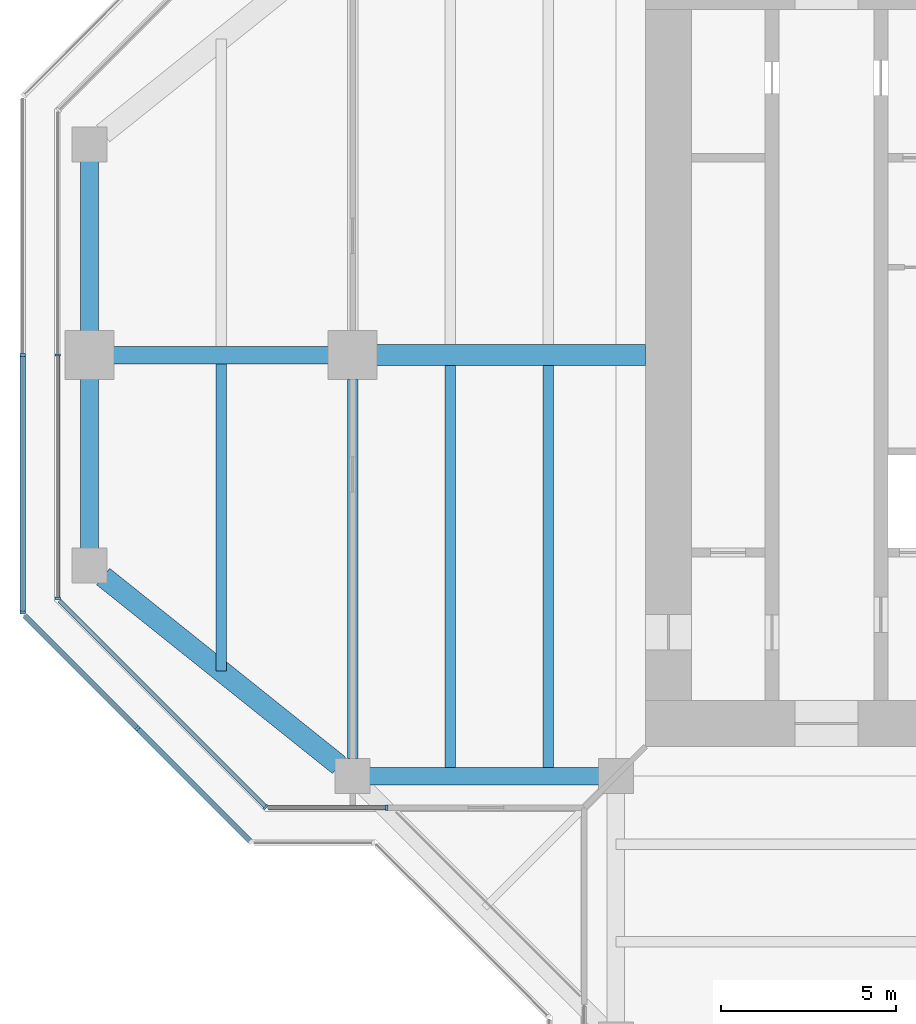
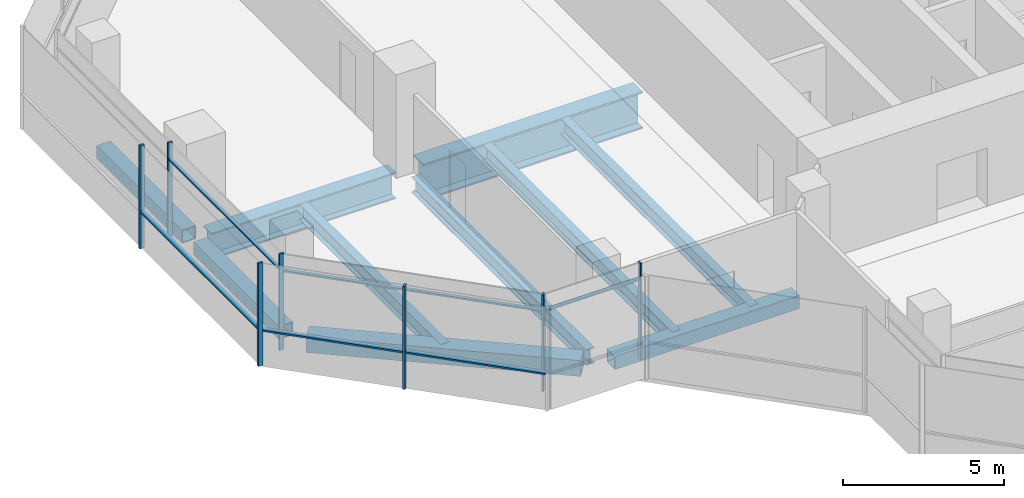
# One storey, part 3 of 15: 13 members, 10 beams, 5 elements without a shape of their own.
"""IFC4 building model written with IfcOpenShell, lengths in metres."""

from ifc_helpers import new_model, si_unit, direction, frame, origin, origin_2d, place, context, subcontext, project, spatial, rectangle, hollow_rectangle, i_section, extrude, material, material_profile, profile_set, type_object, element, aggregate, save


model = new_model("IFC4")

# Units and contexts
model_context = context("Model", 3, precision=1e-05, world=origin(), true_north=direction((0.0, 1.0)))
body_context = subcontext(model_context, "Body", "Model", "MODEL_VIEW")
ifc_project = project(units=[si_unit("LENGTHUNIT", "METRE"), si_unit("AREAUNIT", "SQUARE_METRE"), si_unit("VOLUMEUNIT", "CUBIC_METRE"), si_unit("PLANEANGLEUNIT", "RADIAN"), si_unit("MASSUNIT", "GRAM", prefix="KILO")], contexts=[model_context])

# Site, building, storey
site_placement = place(None, origin())
site = spatial("IfcSite", under=ifc_project, at=site_placement, CompositionType="ELEMENT")
building_placement = place(site_placement, origin())
building = spatial("IfcBuilding", under=site, at=building_placement, Name="Mizan Broadcast Tower", CompositionType="ELEMENT")
storey_placement = place(building_placement, frame((0.0, 0.0, 302.39990234375)))
storey = spatial("IfcBuildingStorey", under=building, at=storey_placement, Name="L72", CompositionType="ELEMENT", Elevation=302.39990234375)

# Beams
ifc_material_1 = material(Name="Steel S355", Category="steel")
ifc_material_profile_1 = material_profile(ifc_material_1, hollow_rectangle(XDim=0.5, YDim=0.5, WallThickness=0.030029296875, at=origin_2d()), Name="BOX 500x500x30")
ifc_profile_set_1 = profile_set([ifc_material_profile_1], Name="Steel S355")
beam_type_1 = type_object("IfcBeamType", Name="EDGE BEAM BOX 500x500x30", PredefinedType="SPANDREL", material=ifc_profile_set_1)
beam_1_placement = place(storey_placement, frame((-27.0, 5.639892578125, -0.3798828125), z_axis=(0.0, -1.0, 0.0), x_axis=(1.0, 0.0, 0.0)))
element("IfcBeam", 1, at=beam_1_placement, inside=storey, type_object=beam_type_1, Name="Edge beam BOX 500x500x30 L72 west arm", PredefinedType="SPANDREL", context=body_context, shape_type="SweptSolid", body=[
    extrude(hollow_rectangle(XDim=0.5, YDim=0.5, WallThickness=0.030029296875, at=origin_2d()), origin(), (0.0, 0.0, 1.0), 5.27978515625),
])
beam_2_placement = place(storey_placement, frame((-12.449951171875, -12.0, -0.3798828125), z_axis=(-1.0, 0.0, 0.0), x_axis=(0.0, -1.0, 0.0)))
element("IfcBeam", 2, at=beam_2_placement, inside=storey, type_object=beam_type_1, Name="Edge beam BOX 500x500x30 L72 west arm", PredefinedType="SPANDREL", context=body_context, shape_type="SweptSolid", body=[
    extrude(hollow_rectangle(XDim=0.5, YDim=0.5, WallThickness=0.030029296875, at=origin_2d()), origin(), (0.0, 0.0, 1.0), 6.60009765625),
])
beam_3_placement = place(storey_placement, frame((-27.0, -5.639892578125, -0.3798828125), z_axis=(0.0, 1.0, 0.0), x_axis=(-1.0, 0.0, 0.0)))
element("IfcBeam", 3, at=beam_3_placement, inside=storey, type_object=beam_type_1, Name="Edge beam BOX 500x500x30 L72 west arm", PredefinedType="SPANDREL", context=body_context, shape_type="SweptSolid", body=[
    extrude(hollow_rectangle(XDim=0.5, YDim=0.5, WallThickness=0.030029296875, at=origin_2d()), origin(), (0.0, 0.0, 1.0), 5.27978515625),
])
ifc_material_2 = material(Name="Steel S355", Category="steel")
ifc_material_profile_2 = material_profile(ifc_material_2, hollow_rectangle(XDim=0.60009765625, YDim=0.60009765625, WallThickness=0.030029296875, at=origin_2d()), Name="BOX 600x600x30")
ifc_profile_set_2 = profile_set([ifc_material_profile_2], Name="Steel S355")
beam_type_2 = type_object("IfcBeamType", Name="EDGE BEAM BOX 600x600x30", PredefinedType="SPANDREL", material=ifc_profile_set_2)
beam_4_placement = place(storey_placement, frame((-19.890380859375, -11.687744140625, -0.429931640625), z_axis=(-0.780863273348, 0.62470196761, 0.0), x_axis=(-0.62470196761, -0.780863273348, 0.0)))
element("IfcBeam", 4, at=beam_4_placement, inside=storey, type_object=beam_type_2, Name="Edge beam BOX 600x600x30 L72 west arm", PredefinedType="SPANDREL", context=body_context, shape_type="SweptSolid", body=[
    extrude(hollow_rectangle(XDim=0.60009765625, YDim=0.60009765625, WallThickness=0.030029296875, at=origin_2d()), origin(), (0.0, 0.0, 1.0), 8.60498046875),
])
ifc_material_3 = material(Name="Steel S355", Category="steel")
ifc_material_profile_3 = material_profile(ifc_material_3, i_section(OverallWidth=0.300048828125, OverallDepth=0.590087890625, WebThickness=0.012939453125, FlangeThickness=0.02490234375, FilletRadius=0.027099609375, at=origin_2d()), Name="HEA 600")
ifc_profile_set_3 = profile_set([ifc_material_profile_3], Name="Steel S355")
beam_type_3 = type_object("IfcBeamType", Name="GIRDER HEA 600", PredefinedType="BEAM", material=ifc_profile_set_3)
beam_5_placement = place(storey_placement, frame((-19.5, -11.5, -0.4248046875), z_axis=(0.0, 1.0, 0.0), x_axis=(-1.0, 0.0, 0.0)))
element("IfcBeam", 5, at=beam_5_placement, inside=storey, type_object=beam_type_3, Name="Girder HEA 600 L72 west arm", PredefinedType="BEAM", context=body_context, shape_type="SweptSolid", body=[
    extrude(i_section(OverallWidth=0.300048828125, OverallDepth=0.590087890625, WebThickness=0.012939453125, FlangeThickness=0.02490234375, FilletRadius=0.027099609375, at=origin_2d()), origin(), (0.0, 0.0, 1.0), 10.800048828125),
])
ifc_material_4 = material(Name="Steel S460", Category="steel")
ifc_material_profile_4 = material_profile(ifc_material_4, i_section(OverallWidth=0.5, OverallDepth=1.0, WebThickness=0.02490234375, FlangeThickness=0.050048828125, at=origin_2d()), Name="WPG 1000x500")
ifc_profile_set_4 = profile_set([ifc_material_profile_4], Name="Steel S460")
beam_type_4 = type_object("IfcBeamType", Name="GIRDER WPG 1000x500", PredefinedType="BEAM", material=ifc_profile_set_4)
beam_6_placement = place(storey_placement, frame((-19.949951171875, 0.0, -0.6298828125), z_axis=(-1.0, 0.0, 0.0), x_axis=(0.0, -1.0, 0.0)))
element("IfcBeam", 6, at=beam_6_placement, inside=storey, type_object=beam_type_4, Name="Girder WPG 1000x500 L72 west arm", PredefinedType="BEAM", context=body_context, shape_type="SweptSolid", body=[
    extrude(i_section(OverallWidth=0.5, OverallDepth=1.0, WebThickness=0.02490234375, FlangeThickness=0.050048828125, at=origin_2d()), origin(), (0.0, 0.0, 1.0), 6.60009765625),
])
ifc_material_5 = material(Name="Steel S460", Category="steel")
ifc_material_profile_5 = material_profile(ifc_material_5, i_section(OverallWidth=0.60009765625, OverallDepth=1.39990234375, WebThickness=0.02490234375, FlangeThickness=0.06005859375, at=origin_2d()), Name="WPG 1400x600")
ifc_profile_set_5 = profile_set([ifc_material_profile_5], Name="Steel S460")
beam_type_5 = type_object("IfcBeamType", Name="GIRDER WPG 1400x600", PredefinedType="BEAM", material=ifc_profile_set_5)
beam_7_placement = place(storey_placement, frame((-11.14990234375, 0.0, -0.829833984375), z_axis=(-1.0, 0.0, 0.0), x_axis=(0.0, -1.0, 0.0)))
element("IfcBeam", 7, at=beam_7_placement, inside=storey, type_object=beam_type_5, Name="Girder WPG 1400x600 L72 west arm", PredefinedType="BEAM", context=body_context, shape_type="SweptSolid", body=[
    extrude(i_section(OverallWidth=0.60009765625, OverallDepth=1.39990234375, WebThickness=0.02490234375, FlangeThickness=0.06005859375, at=origin_2d()), origin(), (0.0, 0.0, 1.0), 7.84912109375),
])

# Curtain wall, members
ifc_material_6 = material(Name="Aluminium framed glazing", Category="aluminium")
curtain_wall_type_1 = type_object("IfcCurtainWallType", Name="INNER SKIN TOP ZONE", PredefinedType="USERDEFINED", material=ifc_material_6)
curtain_wall_1_placement = place(storey_placement, origin())
curtain_wall_1 = element("IfcCurtainWall", 8, at=curtain_wall_1_placement, inside=storey, type_object=curtain_wall_type_1, Name="Inner skin top zone L72 W end", ObjectType="INNER SKIN TOP ZONE", PredefinedType="USERDEFINED")
ifc_material_7 = material(Name="Aluminium, pale anodised", Category="aluminium")
ifc_material_profile_6 = material_profile(ifc_material_7, rectangle(XDim=0.159912109375, YDim=0.06005859375, at=origin_2d()), Name="MULLION 160x60")
ifc_profile_set_6 = profile_set([ifc_material_profile_6], Name="Aluminium, pale anodised")
member_type_1 = type_object("IfcMemberType", Name="INNER SKIN MULLION 60x160", PredefinedType="MULLION", material=ifc_profile_set_6)
member_1_placement = place(storey_placement, frame((-27.89990234375, 0.0, 0.0), z_axis=(0.0, 0.0, 1.0), x_axis=(1.0, 0.0, 0.0)))
member_1 = element("IfcMember", 9, at=member_1_placement, type_object=member_type_1, Name="Inner skin top zone L72 W end mullion 2", PredefinedType="MULLION", context=body_context, shape_type="SweptSolid", body=[
    extrude(rectangle(XDim=0.159912109375, YDim=0.06005859375, at=origin_2d()), origin(), (0.0, 0.0, 1.0), 3.650146484375),
])
member_2_placement = place(storey_placement, frame((-27.89990234375, -6.928466796875, 0.0), z_axis=(0.0, 0.0, 1.0), x_axis=(1.0, 0.0, 0.0)))
member_2 = element("IfcMember", 10, at=member_2_placement, type_object=member_type_1, Name="Inner skin top zone L72 W end mullion 3", PredefinedType="MULLION", context=body_context, shape_type="SweptSolid", body=[
    extrude(rectangle(XDim=0.159912109375, YDim=0.06005859375, at=origin_2d()), origin(), (0.0, 0.0, 1.0), 3.650146484375),
])

# Curtain wall, member
curtain_wall_2_placement = place(storey_placement, origin())
curtain_wall_2 = element("IfcCurtainWall", 11, at=curtain_wall_2_placement, inside=storey, type_object=curtain_wall_type_1, Name="Inner skin top zone L72 W chamfer", ObjectType="INNER SKIN TOP ZONE", PredefinedType="USERDEFINED")
member_3_placement = place(storey_placement, frame((-21.979736328125, -12.87890625, 0.0), z_axis=(0.0, 0.0, 1.0), x_axis=(0.707106781187, 0.707106781187, 0.0)))
member_3 = element("IfcMember", 12, at=member_3_placement, type_object=member_type_1, Name="Inner skin top zone L72 W chamfer mullion 2", PredefinedType="MULLION", context=body_context, shape_type="SweptSolid", body=[
    extrude(rectangle(XDim=0.159912109375, YDim=0.06005859375, at=origin_2d()), origin(), (0.0, 0.0, 1.0), 3.650146484375),
])

curtain_wall_3_placement = place(storey_placement, origin())
curtain_wall_3 = element("IfcCurtainWall", 13, at=curtain_wall_3_placement, inside=storey, type_object=curtain_wall_type_1, Name="Inner skin top zone L72 W side", ObjectType="INNER SKIN TOP ZONE", PredefinedType="USERDEFINED")
member_4_placement = place(storey_placement, frame((-18.530029296875, -12.89990234375, 0.0), z_axis=(0.0, 0.0, 1.0), x_axis=(0.0, 1.0, 0.0)))
member_4 = element("IfcMember", 14, at=member_4_placement, type_object=member_type_1, Name="Inner skin top zone L72 W side mullion 2", PredefinedType="MULLION", context=body_context, shape_type="SweptSolid", body=[
    extrude(rectangle(XDim=0.159912109375, YDim=0.06005859375, at=origin_2d()), origin(), (0.0, 0.0, 1.0), 3.650146484375),
])

# Member
ifc_material_8 = material(Name="Aluminium, pale anodised", Category="aluminium")
ifc_material_profile_7 = material_profile(ifc_material_8, rectangle(XDim=0.1201171875, YDim=0.06005859375, at=origin_2d()), Name="TRANSOM 120x60")
ifc_profile_set_7 = profile_set([ifc_material_profile_7], Name="Aluminium, pale anodised")
member_type_2 = type_object("IfcMemberType", Name="INNER SKIN TRANSOM 60x120", PredefinedType="USERDEFINED", material=ifc_profile_set_7)
member_5_placement = place(storey_placement, frame((-27.89990234375, -0.030029296875, 3.030029296875), z_axis=(0.0, -1.0, 0.0), x_axis=(1.0, 0.0, 0.0)))
member_5 = element("IfcMember", 15, at=member_5_placement, type_object=member_type_2, Name="Inner skin top zone L72 W end transom 2.1", ObjectType="TRANSOM", PredefinedType="USERDEFINED", context=body_context, shape_type="SweptSolid", body=[
    extrude(rectangle(XDim=0.1201171875, YDim=0.06005859375, at=origin_2d()), origin(), (0.0, 0.0, 1.0), 6.86865234375),
])

aggregate(curtain_wall_1, [member_1, member_2, member_5])

member_6_placement = place(storey_placement, frame((-27.857666015625, -7.0009765625, 3.030029296875), z_axis=(0.707106781187, -0.707106781187, 0.0), x_axis=(0.707106781187, 0.707106781187, 0.0)))
member_6 = element("IfcMember", 16, at=member_6_placement, type_object=member_type_2, Name="Inner skin top zone L72 W chamfer transom 1.1", ObjectType="TRANSOM", PredefinedType="USERDEFINED", context=body_context, shape_type="SweptSolid", body=[
    extrude(rectangle(XDim=0.1201171875, YDim=0.06005859375, at=origin_2d()), origin(), (0.0, 0.0, 1.0), 8.28271484375),
])

aggregate(curtain_wall_2, [member_3, member_6])

member_7_placement = place(storey_placement, frame((-21.898681640625, -12.89990234375, 3.030029296875), z_axis=(1.0, 0.0, 0.0), x_axis=(0.0, 1.0, 0.0)))
member_7 = element("IfcMember", 17, at=member_7_placement, type_object=member_type_2, Name="Inner skin top zone L72 W side transom 1.1", ObjectType="TRANSOM", PredefinedType="USERDEFINED", context=body_context, shape_type="SweptSolid", body=[
    extrude(rectangle(XDim=0.1201171875, YDim=0.06005859375, at=origin_2d()), origin(), (0.0, 0.0, 1.0), 3.338623046875),
])

aggregate(curtain_wall_3, [member_4, member_7])

# Curtain wall, member
ifc_material_9 = material(Name="Aluminium framed glazing", Category="aluminium")
curtain_wall_type_2 = type_object("IfcCurtainWallType", Name="OUTER SKIN", PredefinedType="USERDEFINED", material=ifc_material_9)
curtain_wall_4_placement = place(storey_placement, origin())
curtain_wall_4 = element("IfcCurtainWall", 18, at=curtain_wall_4_placement, inside=storey, type_object=curtain_wall_type_2, Name="Outer skin L72 W chamfer", ObjectType="OUTER SKIN", PredefinedType="USERDEFINED")
ifc_material_10 = material(Name="Aluminium, pale anodised", Category="aluminium")
ifc_material_profile_8 = material_profile(ifc_material_10, rectangle(XDim=0.159912109375, YDim=0.080078125, at=origin_2d()), Name="MULLION 160x80")
ifc_profile_set_8 = profile_set([ifc_material_profile_8], Name="Aluminium, pale anodised")
member_type_3 = type_object("IfcMemberType", Name="OUTER SKIN MULLION 80x160", PredefinedType="MULLION", material=ifc_profile_set_8)
member_8_placement = place(storey_placement, frame((-25.636474609375, -10.636474609375, 0.0), z_axis=(0.0, 0.0, 1.0), x_axis=(0.707106781187, 0.707106781187, 0.0)))
member_8 = element("IfcMember", 19, at=member_8_placement, type_object=member_type_3, Name="Outer skin L72 W chamfer mullion 2", PredefinedType="MULLION", context=body_context, shape_type="SweptSolid", body=[
    extrude(rectangle(XDim=0.159912109375, YDim=0.080078125, at=origin_2d()), origin(), (0.0, 0.0, 1.0), 3.900146484375),
])

# Curtain wall, members
curtain_wall_5_placement = place(storey_placement, origin())
curtain_wall_5 = element("IfcCurtainWall", 20, at=curtain_wall_5_placement, inside=storey, type_object=curtain_wall_type_2, Name="Outer skin L72 W end", ObjectType="OUTER SKIN", PredefinedType="USERDEFINED")
member_9_placement = place(storey_placement, frame((-28.89990234375, 0.0, 0.0), z_axis=(0.0, 0.0, 1.0), x_axis=(1.0, 0.0, 0.0)))
member_9 = element("IfcMember", 21, at=member_9_placement, type_object=member_type_3, Name="Outer skin L72 W end mullion 2", PredefinedType="MULLION", context=body_context, shape_type="SweptSolid", body=[
    extrude(rectangle(XDim=0.159912109375, YDim=0.080078125, at=origin_2d()), origin(), (0.0, 0.0, 1.0), 3.900146484375),
])
member_10_placement = place(storey_placement, frame((-28.89990234375, -7.332763671875, 0.0), z_axis=(0.0, 0.0, 1.0), x_axis=(1.0, 0.0, 0.0)))
member_10 = element("IfcMember", 22, at=member_10_placement, type_object=member_type_3, Name="Outer skin L72 W end mullion 3", PredefinedType="MULLION", context=body_context, shape_type="SweptSolid", body=[
    extrude(rectangle(XDim=0.159912109375, YDim=0.080078125, at=origin_2d()), origin(), (0.0, 0.0, 1.0), 3.900146484375),
])

# Member
ifc_material_11 = material(Name="Aluminium, pale anodised", Category="aluminium")
ifc_material_profile_9 = material_profile(ifc_material_11, rectangle(XDim=0.159912109375, YDim=0.06005859375, at=origin_2d()), Name="TRANSOM 160x60")
ifc_profile_set_9 = profile_set([ifc_material_profile_9], Name="Aluminium, pale anodised")
member_type_4 = type_object("IfcMemberType", Name="OUTER SKIN TRANSOM 60x160", PredefinedType="USERDEFINED", material=ifc_profile_set_9)
member_11_placement = place(storey_placement, frame((-28.843505859375, -7.429443359375, 1.400146484375), z_axis=(0.707106781187, -0.707106781187, 0.0), x_axis=(0.707106781187, 0.707106781187, 0.0)))
member_11 = element("IfcMember", 23, at=member_11_placement, type_object=member_type_4, Name="Outer skin L72 W chamfer transom 1.1", ObjectType="TRANSOM", PredefinedType="USERDEFINED", context=body_context, shape_type="SweptSolid", body=[
    extrude(rectangle(XDim=0.159912109375, YDim=0.06005859375, at=origin_2d()), origin(), (0.0, 0.0, 1.0), 4.495361328125),
])

member_12_placement = place(storey_placement, frame((-25.608154296875, -10.664794921875, 1.400146484375), z_axis=(0.707106781187, -0.707106781187, 0.0), x_axis=(0.707106781187, 0.707106781187, 0.0)))
member_12 = element("IfcMember", 24, at=member_12_placement, type_object=member_type_4, Name="Outer skin L72 W chamfer transom 2.1", ObjectType="TRANSOM", PredefinedType="USERDEFINED", context=body_context, shape_type="SweptSolid", body=[
    extrude(rectangle(XDim=0.159912109375, YDim=0.06005859375, at=origin_2d()), origin(), (0.0, 0.0, 1.0), 4.495361328125),
])

aggregate(curtain_wall_4, [member_8, member_11, member_12])

member_13_placement = place(storey_placement, frame((-28.89990234375, -0.0400390625, 1.400146484375), z_axis=(0.0, -1.0, 0.0), x_axis=(1.0, 0.0, 0.0)))
member_13 = element("IfcMember", 25, at=member_13_placement, type_object=member_type_4, Name="Outer skin L72 W end transom 2.1", ObjectType="TRANSOM", PredefinedType="USERDEFINED", context=body_context, shape_type="SweptSolid", body=[
    extrude(rectangle(XDim=0.159912109375, YDim=0.06005859375, at=origin_2d()), origin(), (0.0, 0.0, 1.0), 7.252685546875),
])

aggregate(curtain_wall_5, [member_9, member_10, member_13])

# Beams
ifc_material_12 = material(Name="Steel S355", Category="steel")
ifc_material_profile_10 = material_profile(ifc_material_12, i_section(OverallWidth=0.300048828125, OverallDepth=0.590087890625, WebThickness=0.012939453125, FlangeThickness=0.02490234375, FilletRadius=0.027099609375, at=origin_2d()), Name="HEA 600")
ifc_profile_set_10 = profile_set([ifc_material_profile_10], Name="Steel S355")
beam_type_6 = type_object("IfcBeamType", Name="SECONDARY BEAM HEA 600", PredefinedType="JOIST", material=ifc_profile_set_10)
for number, where, z_axis, x_axis, name in (
    (26, (-13.933349609375, -12.0, -0.4248046875), (0.0, 1.0, 0.0), (-1.0, 0.0, 0.0), "Secondary beam HEA 600 L72 west arm"),
    (27, (-16.716552734375, -12.0, -0.4248046875), (0.0, 1.0, 0.0), (-1.0, 0.0, 0.0), "Secondary beam HEA 600 L72 west arm"),
):
    element("IfcBeam", number, at=place(storey_placement, frame(where, z_axis=z_axis, x_axis=x_axis)), inside=storey, type_object=beam_type_6, Name=name, PredefinedType="JOIST", context=body_context, shape_type="SweptSolid", body=[
        extrude(i_section(OverallWidth=0.300048828125, OverallDepth=0.590087890625, WebThickness=0.012939453125, FlangeThickness=0.02490234375, FilletRadius=0.027099609375, at=origin_2d()), origin(), (0.0, 0.0, 1.0), 11.699951171875),
    ])
beam_8_placement = place(storey_placement, frame((-23.25, -9.0, -0.4248046875), z_axis=(0.0, 1.0, 0.0), x_axis=(-1.0, 0.0, 0.0)))
element("IfcBeam", 28, at=beam_8_placement, inside=storey, type_object=beam_type_6, Name="Secondary beam HEA 600 L72 west arm", PredefinedType="JOIST", context=body_context, shape_type="SweptSolid", body=[
    extrude(i_section(OverallWidth=0.300048828125, OverallDepth=0.590087890625, WebThickness=0.012939453125, FlangeThickness=0.02490234375, FilletRadius=0.027099609375, at=origin_2d()), origin(), (0.0, 0.0, 1.0), 8.75),
])

save(model, "model.ifc")
